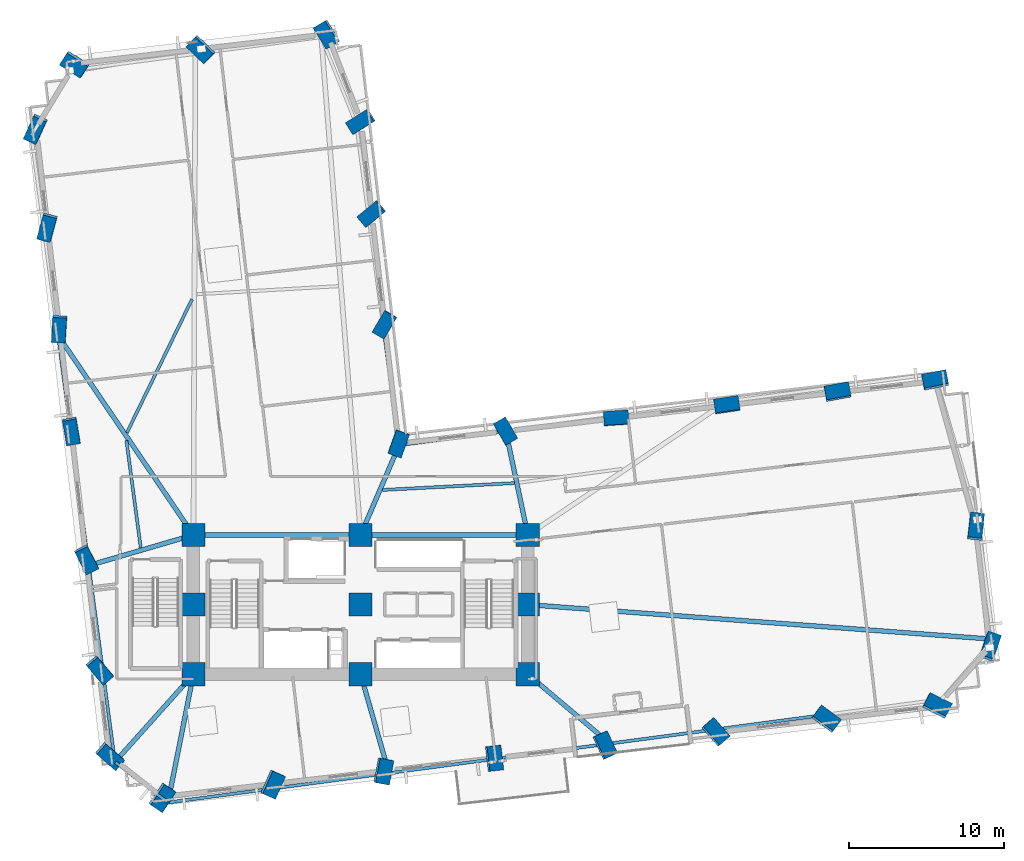
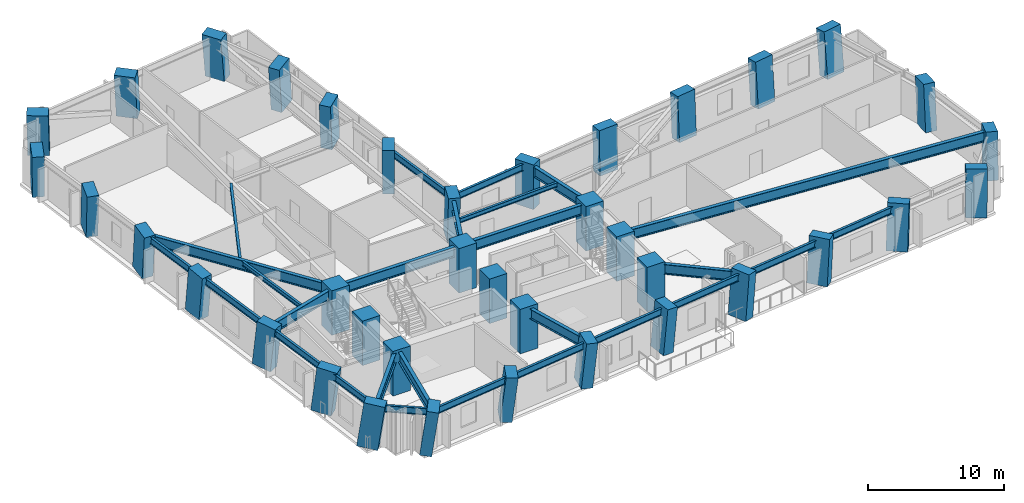
# One storey, part 1 of 14: 38 columns, 27 beams.
"""IFC4 building model written with IfcOpenShell, lengths in metres."""

from ifc_helpers import new_model, si_unit, direction, frame, origin, origin_2d, place, context, subcontext, project, spatial, rectangle, i_section, extrude, material, material_profile, profile_set, type_object, element, save


model = new_model("IFC4")

# Units and contexts
model_context = context("Model", 3, precision=1e-05, world=origin(), true_north=direction((0.0, 1.0)))
body_context = subcontext(model_context, "Body", "Model", "MODEL_VIEW")
ifc_project = project(units=[si_unit("LENGTHUNIT", "METRE"), si_unit("AREAUNIT", "SQUARE_METRE"), si_unit("VOLUMEUNIT", "CUBIC_METRE"), si_unit("PLANEANGLEUNIT", "RADIAN"), si_unit("MASSUNIT", "GRAM", prefix="KILO")], contexts=[model_context])

# Site, building, storey
site_placement = place(None, origin())
site = spatial("IfcSite", under=ifc_project, at=site_placement, CompositionType="ELEMENT")
building_placement = place(site_placement, origin())
building = spatial("IfcBuilding", under=site, at=building_placement, Name="Gaonmaruhae Medical Tower", CompositionType="ELEMENT")
storey_placement = place(building_placement, frame((0.0, 0.0, 51.0)))
storey = spatial("IfcBuildingStorey", under=building, at=storey_placement, Name="L11", CompositionType="ELEMENT", Elevation=51.0)

# Columns
ifc_material_1 = material(Name="Concrete C60/75", Category="concrete")
ifc_material_profile_1 = material_profile(ifc_material_1, rectangle(XDim=1.5, YDim=1.5, at=origin_2d()), Name="RC-1500x1500")
ifc_profile_set_1 = profile_set([ifc_material_profile_1], Name="Concrete C60/75")
column_type_1 = type_object("IfcColumnType", Name="CC-02 Zone 1 Core Column (RC-1500x1500)", PredefinedType="COLUMN", material=ifc_profile_set_1)
for number, where, z_axis, x_axis, name in (
    (1, (14.0, 7.800048828125, 0.0), (0.0, 0.0, 1.0), (1.0, 0.0, 0.0), "L11 Plumb Core Column CC11"),
    (2, (14.0, 12.300048828125, 0.0), (0.0, 0.0, 1.0), (1.0, 0.0, 0.0), "L11 Plumb Core Column CC12"),
    (3, (14.0, 16.800048828125, 0.0), (0.0, 0.0, 1.0), (1.0, 0.0, 0.0), "L11 Plumb Core Column CC13"),
    (4, (24.800048828125, 7.800048828125, 0.0), (0.0, 0.0, 1.0), (1.0, 0.0, 0.0), "L11 Plumb Core Column CC21"),
    (5, (24.800048828125, 12.300048828125, 0.0), (0.0, 0.0, 1.0), (1.0, 0.0, 0.0), "L11 Plumb Core Column CC22"),
    (6, (24.800048828125, 16.800048828125, 0.0), (0.0, 0.0, 1.0), (1.0, 0.0, 0.0), "L11 Plumb Core Column CC23"),
    (7, (35.60009765625, 7.800048828125, 0.0), (0.0, 0.0, 1.0), (1.0, 0.0, 0.0), "L11 Plumb Core Column CC31"),
    (8, (35.60009765625, 12.300048828125, 0.0), (0.0, 0.0, 1.0), (1.0, 0.0, 0.0), "L11 Plumb Core Column CC32"),
    (9, (35.60009765625, 16.800048828125, 0.0), (0.0, 0.0, 1.0), (1.0, 0.0, 0.0), "L11 Plumb Core Column CC33"),
):
    element("IfcColumn", number, at=place(storey_placement, frame(where, z_axis=z_axis, x_axis=x_axis)), inside=storey, type_object=column_type_1, Name=name, PredefinedType="COLUMN", context=body_context, shape_type="SweptSolid", body=[
        extrude(rectangle(XDim=1.5, YDim=1.5, at=origin_2d()), origin(), (0.0, 0.0, 1.0), 4.0),
    ])
ifc_material_profile_2 = material_profile(ifc_material_1, rectangle(XDim=1.60009765625, YDim=0.89990234375, at=origin_2d()), Name="RC-1600x900")
ifc_profile_set_2 = profile_set([ifc_material_profile_2], Name="Concrete C60/75")
column_type_2 = type_object("IfcColumnType", Name="TC-01 Lower Raking Tube Pier Column (RC-1600x900)", PredefinedType="COLUMN", material=ifc_profile_set_2)
column_1_placement = place(storey_placement, frame((11.94091796875, -0.1259765625, 0.001708984375), z_axis=(0.103130686191, -0.088121055807, 0.990756650792), x_axis=(0.558016520761, 0.829681138332, 0.015708954553)))
element("IfcColumn", 10, at=column_1_placement, inside=storey, type_object=column_type_2, Name="L11 Perimeter Tube Column S01", PredefinedType="COLUMN", context=body_context, shape_type="SweptSolid", body=[
    extrude(rectangle(XDim=1.60009765625, YDim=0.89990234375, at=origin_2d()), origin(), (0.0, 0.0, 1.0), 4.033935546875),
])
column_2_placement = place(storey_placement, frame((19.092529296875, 0.707763671875, 0.001708984375), z_axis=(0.099691318182, -0.058916780252, 0.993272598074), x_axis=(0.406334815095, 0.913625847091, 0.013410054754)))
element("IfcColumn", 11, at=column_2_placement, inside=storey, type_object=column_type_2, Name="L11 Perimeter Tube Column S02", PredefinedType="COLUMN", context=body_context, shape_type="SweptSolid", body=[
    extrude(rectangle(XDim=1.60009765625, YDim=0.89990234375, at=origin_2d()), origin(), (0.0, 0.0, 1.0), 4.023681640625),
])
column_3_placement = place(storey_placement, frame((26.244140625, 1.54150390625, 0.001708984375), z_axis=(0.096150082525, -0.029537888816, 0.994928477206), x_axis=(0.181548759309, 0.983312955757, 0.011648134348)))
element("IfcColumn", 12, at=column_3_placement, inside=storey, type_object=column_type_2, Name="L11 Perimeter Tube Column S03", PredefinedType="COLUMN", context=body_context, shape_type="SweptSolid", body=[
    extrude(rectangle(XDim=1.60009765625, YDim=0.89990234375, at=origin_2d()), origin(), (0.0, 0.0, 1.0), 4.016845703125),
])
column_4_placement = place(storey_placement, frame((33.395751953125, 2.37548828125, 0.001708984375), z_axis=(0.092515382804, -6.0825367e-05, 0.995711253449), x_axis=(-0.114654270311, 0.993347681302, 0.010713652585)))
element("IfcColumn", 13, at=column_4_placement, inside=storey, type_object=column_type_2, Name="L11 Perimeter Tube Column S04", PredefinedType="COLUMN", context=body_context, shape_type="SweptSolid", body=[
    extrude(rectangle(XDim=1.60009765625, YDim=0.89990234375, at=origin_2d()), origin(), (0.0, 0.0, 1.0), 4.013916015625),
])
column_5_placement = place(storey_placement, frame((40.547119140625, 3.209228515625, 0.001708984375), z_axis=(0.088856765696, 0.029436464474, 0.995609345953), x_axis=(-0.421803367053, 0.906622532137, 0.010839915315)))
element("IfcColumn", 14, at=column_5_placement, inside=storey, type_object=column_type_2, Name="L11 Perimeter Tube Column S05", PredefinedType="COLUMN", context=body_context, shape_type="SweptSolid", body=[
    extrude(rectangle(XDim=1.60009765625, YDim=0.89990234375, at=origin_2d()), origin(), (0.0, 0.0, 1.0), 4.01416015625),
])
column_6_placement = place(storey_placement, frame((47.69873046875, 4.043212890625, 0.001708984375), z_axis=(0.085124052379, 0.05881519108, 0.994632931792), x_axis=(-0.659384819993, 0.751710113435, 0.011981841356)))
element("IfcColumn", 15, at=column_6_placement, inside=storey, type_object=column_type_2, Name="L11 Perimeter Tube Column S06", PredefinedType="COLUMN", context=body_context, shape_type="SweptSolid", body=[
    extrude(rectangle(XDim=1.60009765625, YDim=0.89990234375, at=origin_2d()), origin(), (0.0, 0.0, 1.0), 4.01806640625),
])
column_7_placement = place(storey_placement, frame((54.850341796875, 4.876953125, 0.001708984375), z_axis=(0.081266808668, 0.08811990522, 0.992789296937), x_axis=(-0.808110427631, 0.588867417033, 0.013881711428)))
element("IfcColumn", 16, at=column_7_placement, inside=storey, type_object=column_type_2, Name="L11 Perimeter Tube Column S07", PredefinedType="COLUMN", context=body_context, shape_type="SweptSolid", body=[
    extrude(rectangle(XDim=1.60009765625, YDim=0.89990234375, at=origin_2d()), origin(), (0.0, 0.0, 1.0), 4.025634765625),
])
column_8_placement = place(storey_placement, frame((62.001953125, 5.710693359375, 0.001708984375), z_axis=(0.077356398515, 0.11721399556, 0.990089322664), x_axis=(-0.892164731917, 0.451417315565, 0.016263404677)))
element("IfcColumn", 17, at=column_8_placement, inside=storey, type_object=column_type_2, Name="L11 Perimeter Tube Column S08", PredefinedType="COLUMN", context=body_context, shape_type="SweptSolid", body=[
    extrude(rectangle(XDim=1.60009765625, YDim=0.89990234375, at=origin_2d()), origin(), (0.0, 0.0, 1.0), 4.03662109375),
])
column_9_placement = place(storey_placement, frame((65.43212890625, 9.53369140625, 0.001708984375), z_axis=(0.061531325336, 0.131101615573, 0.989457559674), x_axis=(-0.312732734416, -0.938885386436, 0.143848767674)))
element("IfcColumn", 18, at=column_9_placement, inside=storey, type_object=column_type_2, Name="L11 Perimeter Tube Column E01", PredefinedType="COLUMN", context=body_context, shape_type="SweptSolid", body=[
    extrude(rectangle(XDim=1.60009765625, YDim=0.89990234375, at=origin_2d()), origin(), (0.0, 0.0, 1.0), 4.0390625),
])
column_10_placement = place(storey_placement, frame((64.52880859375, 17.28125, 0.001708984375), z_axis=(0.029857269994, 0.127362756182, 0.991406713598), x_axis=(-0.112008268746, -0.985175573606, 0.129935510555)))
element("IfcColumn", 19, at=column_10_placement, inside=storey, type_object=column_type_2, Name="L11 Perimeter Tube Column E02", PredefinedType="COLUMN", context=body_context, shape_type="SweptSolid", body=[
    extrude(rectangle(XDim=1.60009765625, YDim=0.89990234375, at=origin_2d()), origin(), (0.0, 0.0, 1.0), 4.03125),
])
column_11_placement = place(storey_placement, frame((61.91552734375, 26.742431640625, 0.001708984375), z_axis=(-0.008918351328, 0.11648458877, 0.993152457374), x_axis=(-0.981593797362, -0.190500884443, 0.013528858272)))
element("IfcColumn", 20, at=column_11_placement, inside=storey, type_object=column_type_2, Name="L11 Perimeter Tube Column E03", PredefinedType="COLUMN", context=body_context, shape_type="SweptSolid", body=[
    extrude(rectangle(XDim=1.60009765625, YDim=0.89990234375, at=origin_2d()), origin(), (0.0, 0.0, 1.0), 4.024169921875),
])
column_12_placement = place(storey_placement, frame((55.6083984375, 26.0068359375, 0.001708984375), z_axis=(-0.005779215637, 0.090824936271, 0.995850104995), x_axis=(-0.983944135111, -0.178165274591, 0.01053916079)))
element("IfcColumn", 21, at=column_12_placement, inside=storey, type_object=column_type_2, Name="L11 Perimeter Tube Column EN01", PredefinedType="COLUMN", context=body_context, shape_type="SweptSolid", body=[
    extrude(rectangle(XDim=1.60009765625, YDim=0.89990234375, at=origin_2d()), origin(), (0.0, 0.0, 1.0), 4.01318359375),
])
column_13_placement = place(storey_placement, frame((48.456787109375, 25.173095703125, 0.001708984375), z_axis=(-0.002073039244, 0.061459516411, 0.998107424254), x_axis=(-0.988811054512, -0.149003306993, 0.007121304679)))
element("IfcColumn", 22, at=column_13_placement, inside=storey, type_object=column_type_2, Name="L11 Perimeter Tube Column EN02", PredefinedType="COLUMN", context=body_context, shape_type="SweptSolid", body=[
    extrude(rectangle(XDim=1.60009765625, YDim=0.89990234375, at=origin_2d()), origin(), (0.0, 0.0, 1.0), 4.004150390625),
])
column_14_placement = place(storey_placement, frame((41.30517578125, 24.33935546875, 0.001708984375), z_axis=(0.001648515221, 0.031932350395, 0.99948867297), x_axis=(-0.997918513373, -0.064381129267, 0.003702817988)))
element("IfcColumn", 23, at=column_14_placement, inside=storey, type_object=column_type_2, Name="L11 Perimeter Tube Column EN03", PredefinedType="COLUMN", context=body_context, shape_type="SweptSolid", body=[
    extrude(rectangle(XDim=1.60009765625, YDim=0.89990234375, at=origin_2d()), origin(), (0.0, 0.0, 1.0), 3.99853515625),
])
column_15_placement = place(storey_placement, frame((34.153564453125, 23.50537109375, 0.001708984375), z_axis=(0.005375595078, 0.002321279693, 0.999982857172), x_axis=(-0.500082287916, 0.865977624149, 0.000678075236)))
element("IfcColumn", 24, at=column_15_placement, inside=storey, type_object=column_type_2, Name="L11 Perimeter Tube Column EN04", PredefinedType="COLUMN", context=body_context, shape_type="SweptSolid", body=[
    extrude(rectangle(XDim=1.60009765625, YDim=0.89990234375, at=origin_2d()), origin(), (0.0, 0.0, 1.0), 3.99658203125),
])
column_16_placement = place(storey_placement, frame((27.25048828125, 22.700439453125, 0.001708984375), z_axis=(0.008915338455, -0.026196439708, 0.999617058321), x_axis=(0.334811753302, 0.942035106952, 0.021701316121)))
element("IfcColumn", 25, at=column_16_placement, inside=storey, type_object=column_type_2, Name="L11 Perimeter Tube Column KN01", PredefinedType="COLUMN", context=body_context, shape_type="SweptSolid", body=[
    extrude(rectangle(XDim=1.60009765625, YDim=0.89990234375, at=origin_2d()), origin(), (0.0, 0.0, 1.0), 3.998046875),
])
column_17_placement = place(storey_placement, frame((26.352783203125, 30.3984375, 0.001708984375), z_axis=(-0.022891292397, -0.030216505964, 0.999281217426), x_axis=(0.507057413613, 0.861089427661, 0.037653377935)))
element("IfcColumn", 26, at=column_17_placement, inside=storey, type_object=column_type_2, Name="L11 Perimeter Tube Column NE01", PredefinedType="COLUMN", context=body_context, shape_type="SweptSolid", body=[
    extrude(rectangle(XDim=1.60009765625, YDim=0.89990234375, at=origin_2d()), origin(), (0.0, 0.0, 1.0), 3.99951171875),
])
column_18_placement = place(storey_placement, frame((25.51904296875, 37.5498046875, 0.001708984375), z_axis=(-0.052493535707, -0.033837296536, 0.998047827547), x_axis=(0.770485262961, 0.634432213866, 0.062034067813)))
element("IfcColumn", 27, at=column_18_placement, inside=storey, type_object=column_type_2, Name="L11 Perimeter Tube Column NE02", PredefinedType="COLUMN", context=body_context, shape_type="SweptSolid", body=[
    extrude(rectangle(XDim=1.60009765625, YDim=0.89990234375, at=origin_2d()), origin(), (0.0, 0.0, 1.0), 4.00439453125),
])
column_19_placement = place(storey_placement, frame((24.82421875, 43.509521484375, 0.001708984375), z_axis=(-0.076993381797, -0.036883786062, 0.996349138347), x_axis=(0.842487077733, 0.532000818436, 0.084797718345)))
element("IfcColumn", 28, at=column_19_placement, inside=storey, type_object=column_type_2, Name="L11 Perimeter Tube Column NE03", PredefinedType="COLUMN", context=body_context, shape_type="SweptSolid", body=[
    extrude(rectangle(XDim=1.60009765625, YDim=0.89990234375, at=origin_2d()), origin(), (0.0, 0.0, 1.0), 4.01123046875),
])
column_20_placement = place(storey_placement, frame((22.65673828125, 49.146484375, 0.001708984375), z_axis=(-0.099939863452, -0.045901905692, 0.993934121935), x_axis=(0.519165501749, -0.854578832845, 0.012735786087)))
element("IfcColumn", 29, at=column_20_placement, inside=storey, type_object=column_type_2, Name="L11 Perimeter Tube Column N01", PredefinedType="COLUMN", context=body_context, shape_type="SweptSolid", body=[
    extrude(rectangle(XDim=1.60009765625, YDim=0.89990234375, at=origin_2d()), origin(), (0.0, 0.0, 1.0), 4.02099609375),
])
column_21_placement = place(storey_placement, frame((14.511962890625, 48.19677734375, 0.001708984375), z_axis=(-0.095588978911, -0.079283693352, 0.992258455786), x_axis=(0.722555490387, -0.691163316507, 0.014381697639)))
element("IfcColumn", 30, at=column_21_placement, inside=storey, type_object=column_type_2, Name="L11 Perimeter Tube Column N02", PredefinedType="COLUMN", context=body_context, shape_type="SweptSolid", body=[
    extrude(rectangle(XDim=1.60009765625, YDim=0.89990234375, at=origin_2d()), origin(), (0.0, 0.0, 1.0), 4.02783203125),
])
column_22_placement = place(storey_placement, frame((6.3671875, 47.2470703125, 0.001708984375), z_axis=(-0.091149766774, -0.112426104907, 0.989470611465), x_axis=(0.843714251314, -0.536530836824, 0.016760765699)))
element("IfcColumn", 31, at=column_22_placement, inside=storey, type_object=column_type_2, Name="L11 Perimeter Tube Column N03", PredefinedType="COLUMN", context=body_context, shape_type="SweptSolid", body=[
    extrude(rectangle(XDim=1.60009765625, YDim=0.89990234375, at=origin_2d()), origin(), (0.0, 0.0, 1.0), 4.0390625),
])
column_23_placement = place(storey_placement, frame((3.833251953125, 43.07568359375, 0.001708984375), z_axis=(-0.073999121688, -0.122727301492, 0.989677795779), x_axis=(0.408416071098, 0.901628458186, 0.142346184554)))
element("IfcColumn", 32, at=column_23_placement, inside=storey, type_object=column_type_2, Name="L11 Perimeter Tube Column W01", PredefinedType="COLUMN", context=body_context, shape_type="SweptSolid", body=[
    extrude(rectangle(XDim=1.60009765625, YDim=0.89990234375, at=origin_2d()), origin(), (0.0, 0.0, 1.0), 4.038330078125),
])
column_24_placement = place(storey_placement, frame((4.574462890625, 36.71875, 0.001708984375), z_axis=(-0.04803764479, -0.119700360788, 0.991647219686), x_axis=(0.259374888745, 0.957241855929, 0.128112046065)))
element("IfcColumn", 33, at=column_24_placement, inside=storey, type_object=column_type_2, Name="L11 Perimeter Tube Column W02", PredefinedType="COLUMN", context=body_context, shape_type="SweptSolid", body=[
    extrude(rectangle(XDim=1.60009765625, YDim=0.89990234375, at=origin_2d()), origin(), (0.0, 0.0, 1.0), 4.0302734375),
])
column_25_placement = place(storey_placement, frame((5.338623046875, 30.1630859375, 0.001708984375), z_axis=(-0.021108966862, -0.116463265443, 0.992970653806), x_axis=(0.061951698396, 0.991130959428, 0.117564485836)))
element("IfcColumn", 34, at=column_25_placement, inside=storey, type_object=column_type_2, Name="L11 Perimeter Tube Column W03", PredefinedType="COLUMN", context=body_context, shape_type="SweptSolid", body=[
    extrude(rectangle(XDim=1.60009765625, YDim=0.89990234375, at=origin_2d()), origin(), (0.0, 0.0, 1.0), 4.02490234375),
])
column_26_placement = place(storey_placement, frame((6.10888671875, 23.557861328125, 0.001708984375), z_axis=(0.006069361117, -0.113193584828, 0.993554414821), x_axis=(-0.168477247489, 0.979253855238, 0.112593534806)))
element("IfcColumn", 35, at=column_26_placement, inside=storey, type_object=column_type_2, Name="L11 Perimeter Tube Column W04", PredefinedType="COLUMN", context=body_context, shape_type="SweptSolid", body=[
    extrude(rectangle(XDim=1.60009765625, YDim=0.89990234375, at=origin_2d()), origin(), (0.0, 0.0, 1.0), 4.0224609375),
])
column_27_placement = place(storey_placement, frame((7.075927734375, 15.26416015625, 0.001708984375), z_axis=(0.040166444647, -0.108910525893, 0.993239726387), x_axis=(-0.450019213992, 0.885544220461, 0.115300219633)))
element("IfcColumn", 36, at=column_27_placement, inside=storey, type_object=column_type_2, Name="L11 Perimeter Tube Column W05", PredefinedType="COLUMN", context=body_context, shape_type="SweptSolid", body=[
    extrude(rectangle(XDim=1.60009765625, YDim=0.89990234375, at=origin_2d()), origin(), (0.0, 0.0, 1.0), 4.023681640625),
])
column_28_placement = place(storey_placement, frame((7.90966796875, 8.112548828125, 0.001708984375), z_axis=(0.069508862811, -0.105081402018, 0.992031459653), x_axis=(-0.640206677276, 0.757941093362, 0.125142755939)))
element("IfcColumn", 37, at=column_28_placement, inside=storey, type_object=column_type_2, Name="L11 Perimeter Tube Column W06", PredefinedType="COLUMN", context=body_context, shape_type="SweptSolid", body=[
    extrude(rectangle(XDim=1.60009765625, YDim=0.89990234375, at=origin_2d()), origin(), (0.0, 0.0, 1.0), 4.028564453125),
])
column_29_placement = place(storey_placement, frame((8.558349609375, 2.55029296875, 0.001708984375), z_axis=(0.092152122882, -0.102075266778, 0.990499180293), x_axis=(-0.745231561197, 0.652665426186, 0.136593417329)))
element("IfcColumn", 38, at=column_29_placement, inside=storey, type_object=column_type_2, Name="L11 Perimeter Tube Column W07", PredefinedType="COLUMN", context=body_context, shape_type="SweptSolid", body=[
    extrude(rectangle(XDim=1.60009765625, YDim=0.89990234375, at=origin_2d()), origin(), (0.0, 0.0, 1.0), 4.034912109375),
])

# Beams
ifc_material_2 = material(Name="Steel SM355", Category="steel")
ifc_material_profile_3 = material_profile(ifc_material_2, i_section(OverallWidth=0.199951171875, OverallDepth=0.39990234375, WebThickness=0.008056640625, FlangeThickness=0.012939453125, FilletRadius=0.012939453125, at=origin_2d()), Name="H-400x200x8x13")
ifc_profile_set_3 = profile_set([ifc_material_profile_3], Name="Steel SM355")
beam_type_1 = type_object("IfcBeamType", Name="FJ-01 Lower Zone Ward Floor Joist (H-400x200x8x13)", PredefinedType="JOIST", material=ifc_profile_set_3)
beam_1_placement = place(storey_placement, frame((34.729736328125, 20.149169921875, 3.580078125), z_axis=(-0.998652730987, -0.051891452987, 0.0), x_axis=(0.051891452987, -0.998652730987, 0.0)))
element("IfcBeam", 39, at=beam_1_placement, inside=storey, type_object=beam_type_1, Name="L11 Secondary Floor Joist FJ06", PredefinedType="JOIST", context=body_context, shape_type="SweptSolid", body=[
    extrude(i_section(OverallWidth=0.199951171875, OverallDepth=0.39990234375, WebThickness=0.008056640625, FlangeThickness=0.012939453125, FilletRadius=0.012939453125, at=origin_2d()), origin(), (0.0, 0.0, 1.0), 8.525146484375),
])
beam_2_placement = place(storey_placement, frame((13.909423828125, 32.023193359375, 3.580078125), z_axis=(-0.438544049326, -0.898709695508, 0.0), x_axis=(0.898709695508, -0.438544049326, 0.0)))
element("IfcBeam", 40, at=beam_2_placement, inside=storey, type_object=beam_type_1, Name="L11 Secondary Floor Joist FJ09", PredefinedType="JOIST", context=body_context, shape_type="SweptSolid", body=[
    extrude(i_section(OverallWidth=0.199951171875, OverallDepth=0.39990234375, WebThickness=0.008056640625, FlangeThickness=0.012939453125, FilletRadius=0.012939453125, at=origin_2d()), origin(), (0.0, 0.0, 1.0), 9.58642578125),
])
beam_3_placement = place(storey_placement, frame((9.672119140625, 22.908447265625, 3.580078125), z_axis=(0.13224138619, -0.991217542106, 0.0), x_axis=(0.991217542106, 0.13224138619, 0.0)))
element("IfcBeam", 41, at=beam_3_placement, inside=storey, type_object=beam_type_1, Name="L11 Secondary Floor Joist FJ10", PredefinedType="JOIST", context=body_context, shape_type="SweptSolid", body=[
    extrude(i_section(OverallWidth=0.199951171875, OverallDepth=0.39990234375, WebThickness=0.008056640625, FlangeThickness=0.012939453125, FilletRadius=0.012939453125, at=origin_2d()), origin(), (0.0, 0.0, 1.0), 7.000732421875),
])
ifc_material_3 = material(Name="Steel SM420", Category="steel")
ifc_material_profile_4 = material_profile(ifc_material_3, i_section(OverallWidth=0.300048828125, OverallDepth=0.89990234375, WebThickness=0.01611328125, FlangeThickness=0.028076171875, FilletRadius=0.01806640625, at=origin_2d()), Name="H-900x300x16x28")
ifc_profile_set_4 = profile_set([ifc_material_profile_4], Name="Steel SM420")
beam_type_2 = type_object("IfcBeamType", Name="PG-01 Zone 1 Radial Floor Girder (H-900x300x16x28)", PredefinedType="BEAM", material=ifc_profile_set_4)
for number, where, z_axis, x_axis, name in (
    (42, (14.050048828125, 16.800048828125, 3.330078125), (1.0, 0.0, 0.0), (0.0, 1.0, 0.0), "L11 Beam BM-L11-CG-N1"),
    (43, (24.85009765625, 16.800048828125, 3.330078125), (1.0, 0.0, 0.0), (0.0, 1.0, 0.0), "L11 Beam BM-L11-CG-N2"),
):
    element("IfcBeam", number, at=place(storey_placement, frame(where, z_axis=z_axis, x_axis=x_axis)), inside=storey, type_object=beam_type_2, Name=name, PredefinedType="BEAM", context=body_context, shape_type="SweptSolid", body=[
        extrude(i_section(OverallWidth=0.300048828125, OverallDepth=0.89990234375, WebThickness=0.01611328125, FlangeThickness=0.028076171875, FilletRadius=0.01806640625, at=origin_2d()), origin(), (0.0, 0.0, 1.0), 10.699951171875),
    ])
beam_4_placement = place(storey_placement, frame((13.990234375, 7.7509765625, 3.330078125), z_axis=(-0.194596493884, -0.980883379698, 0.0), x_axis=(0.980883379698, -0.194596493884, 0.0)))
element("IfcBeam", 44, at=beam_4_placement, inside=storey, type_object=beam_type_2, Name="L11 Radial Primary Girder S01", PredefinedType="BEAM", context=body_context, shape_type="SweptSolid", body=[
    extrude(i_section(OverallWidth=0.300048828125, OverallDepth=0.89990234375, WebThickness=0.01611328125, FlangeThickness=0.028076171875, FilletRadius=0.01806640625, at=origin_2d()), origin(), (0.0, 0.0, 1.0), 8.343017578125),
])
beam_5_placement = place(storey_placement, frame((24.813720703125, 7.751953125, 3.330078125), z_axis=(0.275910121742, -0.961183439683, 0.0), x_axis=(0.961183439683, 0.275910121742, 0.0)))
element("IfcBeam", 45, at=beam_5_placement, inside=storey, type_object=beam_type_2, Name="L11 Radial Primary Girder S03", PredefinedType="BEAM", context=body_context, shape_type="SweptSolid", body=[
    extrude(i_section(OverallWidth=0.300048828125, OverallDepth=0.89990234375, WebThickness=0.01611328125, FlangeThickness=0.028076171875, FilletRadius=0.01806640625, at=origin_2d()), origin(), (0.0, 0.0, 1.0), 6.53466796875),
])
beam_6_placement = place(storey_placement, frame((35.63818359375, 7.767822265625, 3.330078125), z_axis=(0.764474021203, -0.644654536094, 0.0), x_axis=(0.644654536094, 0.764474021203, 0.0)))
element("IfcBeam", 46, at=beam_6_placement, inside=storey, type_object=beam_type_2, Name="L11 Radial Primary Girder S05", PredefinedType="BEAM", context=body_context, shape_type="SweptSolid", body=[
    extrude(i_section(OverallWidth=0.300048828125, OverallDepth=0.89990234375, WebThickness=0.01611328125, FlangeThickness=0.028076171875, FilletRadius=0.01806640625, at=origin_2d()), origin(), (0.0, 0.0, 1.0), 6.838134765625),
])
beam_7_placement = place(storey_placement, frame((35.64990234375, 12.29638671875, 3.330078125), z_axis=(0.997247042335, -0.074150769072, 0.0), x_axis=(0.074150769072, 0.997247042335, 0.0)))
element("IfcBeam", 47, at=beam_7_placement, inside=storey, type_object=beam_type_2, Name="L11 Radial Primary Girder E01", PredefinedType="BEAM", context=body_context, shape_type="SweptSolid", body=[
    extrude(i_section(OverallWidth=0.300048828125, OverallDepth=0.89990234375, WebThickness=0.01611328125, FlangeThickness=0.028076171875, FilletRadius=0.01806640625, at=origin_2d()), origin(), (0.0, 0.0, 1.0), 30.063720703125),
])
beam_8_placement = place(storey_placement, frame((35.589599609375, 16.848876953125, 3.330078125), z_axis=(-0.207603635892, 0.978213029133, 0.0), x_axis=(-0.978213029133, -0.207603635892, 0.0)))
element("IfcBeam", 48, at=beam_8_placement, inside=storey, type_object=beam_type_2, Name="L11 Radial Primary Girder EN04", PredefinedType="BEAM", context=body_context, shape_type="SweptSolid", body=[
    extrude(i_section(OverallWidth=0.300048828125, OverallDepth=0.89990234375, WebThickness=0.01611328125, FlangeThickness=0.028076171875, FilletRadius=0.01806640625, at=origin_2d()), origin(), (0.0, 0.0, 1.0), 6.764404296875),
])
beam_9_placement = place(storey_placement, frame((24.81982421875, 16.845947265625, 3.330078125), z_axis=(0.394208890145, 0.91902086534, 0.0), x_axis=(-0.91902086534, 0.394208890145, 0.0)))
element("IfcBeam", 49, at=beam_9_placement, inside=storey, type_object=beam_type_2, Name="L11 Radial Primary Girder KN01", PredefinedType="BEAM", context=body_context, shape_type="SweptSolid", body=[
    extrude(i_section(OverallWidth=0.300048828125, OverallDepth=0.89990234375, WebThickness=0.01611328125, FlangeThickness=0.028076171875, FilletRadius=0.01806640625, at=origin_2d()), origin(), (0.0, 0.0, 1.0), 6.206298828125),
])
beam_10_placement = place(storey_placement, frame((13.971923828125, 16.84130859375, 3.330078125), z_axis=(-0.561360644017, 0.827571282337, 0.0), x_axis=(-0.827571282337, -0.561360644017, 0.0)))
element("IfcBeam", 50, at=beam_10_placement, inside=storey, type_object=beam_type_2, Name="L11 Radial Primary Girder W03", PredefinedType="BEAM", context=body_context, shape_type="SweptSolid", body=[
    extrude(i_section(OverallWidth=0.300048828125, OverallDepth=0.89990234375, WebThickness=0.01611328125, FlangeThickness=0.028076171875, FilletRadius=0.01806640625, at=origin_2d()), origin(), (0.0, 0.0, 1.0), 15.48046875),
])
beam_11_placement = place(storey_placement, frame((13.951904296875, 16.785888671875, 3.330078125), z_axis=(-0.959933429693, -0.280228140197, 0.0), x_axis=(0.280228140197, -0.959933429693, 0.0)))
element("IfcBeam", 51, at=beam_11_placement, inside=storey, type_object=beam_type_2, Name="L11 Radial Primary Girder W05", PredefinedType="BEAM", context=body_context, shape_type="SweptSolid", body=[
    extrude(i_section(OverallWidth=0.300048828125, OverallDepth=0.89990234375, WebThickness=0.01611328125, FlangeThickness=0.028076171875, FilletRadius=0.01806640625, at=origin_2d()), origin(), (0.0, 0.0, 1.0), 6.944580078125),
])
beam_12_placement = place(storey_placement, frame((13.966552734375, 7.7626953125, 3.330078125), z_axis=(-0.667065064336, -0.744999463049, 0.0), x_axis=(0.744999463049, -0.667065064336, 0.0)))
element("IfcBeam", 52, at=beam_12_placement, inside=storey, type_object=beam_type_2, Name="L11 Radial Primary Girder W07", PredefinedType="BEAM", context=body_context, shape_type="SweptSolid", body=[
    extrude(i_section(OverallWidth=0.300048828125, OverallDepth=0.89990234375, WebThickness=0.01611328125, FlangeThickness=0.028076171875, FilletRadius=0.01806640625, at=origin_2d()), origin(), (0.0, 0.0, 1.0), 7.49951171875),
])
ifc_material_profile_5 = material_profile(ifc_material_2, i_section(OverallWidth=0.199951171875, OverallDepth=0.60009765625, WebThickness=0.010986328125, FlangeThickness=0.01708984375, FilletRadius=0.012939453125, at=origin_2d()), Name="H-600x200x11x17")
ifc_profile_set_5 = profile_set([ifc_material_profile_5], Name="Steel SM355")
beam_type_3 = type_object("IfcBeamType", Name="SP-01 Lower Perimeter Spandrel Beam (H-600x200x11x17)", PredefinedType="SPANDREL", material=ifc_profile_set_5)
for number, where, z_axis, x_axis, name in (
    (53, (12.396728515625, -0.476318359375, 3.47998046875), (0.991215617957, 0.132255807882, 0.0), (-0.132255807882, 0.991215617957, 0.0), "L11 Perimeter Spandrel Beam S01-S02"),
    (54, (19.533447265625, 0.475830078125, 3.47998046875), (0.991215617957, 0.132255807882, 0.0), (-0.132255807882, 0.991215617957, 0.0), "L11 Perimeter Spandrel Beam S02-S03"),
    (55, (26.670166015625, 1.42822265625, 3.47998046875), (0.991215617957, 0.132255807882, 0.0), (-0.132255807882, 0.991215617957, 0.0), "L11 Perimeter Spandrel Beam S03-S04"),
):
    element("IfcBeam", number, at=place(storey_placement, frame(where, z_axis=z_axis, x_axis=x_axis)), inside=storey, type_object=beam_type_3, Name=name, PredefinedType="SPANDREL", context=body_context, shape_type="SweptSolid", body=[
        extrude(i_section(OverallWidth=0.199951171875, OverallDepth=0.60009765625, WebThickness=0.010986328125, FlangeThickness=0.01708984375, FilletRadius=0.012939453125, at=origin_2d()), origin(), (0.0, 0.0, 1.0), 7.119873046875),
    ])
for number, where, z_axis, x_axis, name in (
    (56, (33.806884765625, 2.38037109375, 3.47998046875), (0.99121621771, 0.132251312844, 0.0), (-0.132251312844, 0.99121621771, 0.0), "L11 Perimeter Spandrel Beam S04-S05"),
    (57, (40.943603515625, 3.332763671875, 3.4599609375), (0.99121621771, 0.132251312844, 0.0), (-0.132251312844, 0.99121621771, 0.0), "L11 Perimeter Spandrel Beam S05-S06"),
):
    element("IfcBeam", number, at=place(storey_placement, frame(where, z_axis=z_axis, x_axis=x_axis)), inside=storey, type_object=beam_type_3, Name=name, PredefinedType="SPANDREL", context=body_context, shape_type="SweptSolid", body=[
        extrude(i_section(OverallWidth=0.199951171875, OverallDepth=0.60009765625, WebThickness=0.010986328125, FlangeThickness=0.01708984375, FilletRadius=0.012939453125, at=origin_2d()), origin(), (0.0, 0.0, 1.0), 7.1201171875),
    ])
beam_13_placement = place(storey_placement, frame((48.08056640625, 4.284912109375, 3.4599609375), z_axis=(0.991215617957, 0.132255807882, 0.0), x_axis=(-0.132255807882, 0.991215617957, 0.0)))
element("IfcBeam", 58, at=beam_13_placement, inside=storey, type_object=beam_type_3, Name="L11 Perimeter Spandrel Beam S06-S07", PredefinedType="SPANDREL", context=body_context, shape_type="SweptSolid", body=[
    extrude(i_section(OverallWidth=0.199951171875, OverallDepth=0.60009765625, WebThickness=0.010986328125, FlangeThickness=0.01708984375, FilletRadius=0.012939453125, at=origin_2d()), origin(), (0.0, 0.0, 1.0), 7.119873046875),
])
beam_14_placement = place(storey_placement, frame((34.135498046875, 23.509521484375, 3.47998046875), z_axis=(-0.991214239518, -0.132266138439, 0.0), x_axis=(0.132266138439, -0.991214239518, 0.0)))
element("IfcBeam", 59, at=beam_14_placement, inside=storey, type_object=beam_type_3, Name="L11 Perimeter Spandrel Beam EN04-KN01", PredefinedType="SPANDREL", context=body_context, shape_type="SweptSolid", body=[
    extrude(i_section(OverallWidth=0.199951171875, OverallDepth=0.60009765625, WebThickness=0.010986328125, FlangeThickness=0.01708984375, FilletRadius=0.012939453125, at=origin_2d()), origin(), (0.0, 0.0, 1.0), 6.8701171875),
])
beam_15_placement = place(storey_placement, frame((27.28076171875, 22.63525390625, 3.47998046875), z_axis=(-0.132257544314, 0.991215386267, 0.0), x_axis=(-0.991215386267, -0.132257544314, 0.0)))
element("IfcBeam", 60, at=beam_15_placement, inside=storey, type_object=beam_type_3, Name="L11 Perimeter Spandrel Beam KN01-NE01", PredefinedType="SPANDREL", context=body_context, shape_type="SweptSolid", body=[
    extrude(i_section(OverallWidth=0.199951171875, OverallDepth=0.60009765625, WebThickness=0.010986328125, FlangeThickness=0.01708984375, FilletRadius=0.012939453125, at=origin_2d()), origin(), (0.0, 0.0, 1.0), 7.669921875),
])
beam_16_placement = place(storey_placement, frame((5.259033203125, 29.654296875, 3.47998046875), z_axis=(0.132253780721, -0.991215888435, 0.0), x_axis=(0.991215888435, 0.132253780721, 0.0)))
element("IfcBeam", 61, at=beam_16_placement, inside=storey, type_object=beam_type_3, Name="L11 Perimeter Spandrel Beam W03-W04", PredefinedType="SPANDREL", context=body_context, shape_type="SweptSolid", body=[
    extrude(i_section(OverallWidth=0.199951171875, OverallDepth=0.60009765625, WebThickness=0.010986328125, FlangeThickness=0.01708984375, FilletRadius=0.012939453125, at=origin_2d()), origin(), (0.0, 0.0, 1.0), 6.56982421875),
])
beam_17_placement = place(storey_placement, frame((6.138427734375, 23.062744140625, 3.47998046875), z_axis=(0.132256538355, -0.991215520491, 0.0), x_axis=(0.991215520491, 0.132256538355, 0.0)))
element("IfcBeam", 62, at=beam_17_placement, inside=storey, type_object=beam_type_3, Name="L11 Perimeter Spandrel Beam W04-W05", PredefinedType="SPANDREL", context=body_context, shape_type="SweptSolid", body=[
    extrude(i_section(OverallWidth=0.199951171875, OverallDepth=0.60009765625, WebThickness=0.010986328125, FlangeThickness=0.01708984375, FilletRadius=0.012939453125, at=origin_2d()), origin(), (0.0, 0.0, 1.0), 8.27001953125),
])
beam_18_placement = place(storey_placement, frame((7.242919921875, 14.7861328125, 3.47998046875), z_axis=(0.132255807882, -0.991215617957, 0.0), x_axis=(0.991215617957, 0.132255807882, 0.0)))
element("IfcBeam", 63, at=beam_18_placement, inside=storey, type_object=beam_type_3, Name="L11 Perimeter Spandrel Beam W05-W06", PredefinedType="SPANDREL", context=body_context, shape_type="SweptSolid", body=[
    extrude(i_section(OverallWidth=0.199951171875, OverallDepth=0.60009765625, WebThickness=0.010986328125, FlangeThickness=0.01708984375, FilletRadius=0.012939453125, at=origin_2d()), origin(), (0.0, 0.0, 1.0), 7.119873046875),
])
beam_19_placement = place(storey_placement, frame((8.195068359375, 7.6494140625, 3.47998046875), z_axis=(0.132244838417, -0.991217081528, 0.0), x_axis=(0.991217081528, 0.132244838417, 0.0)))
element("IfcBeam", 64, at=beam_19_placement, inside=storey, type_object=beam_type_3, Name="L11 Perimeter Spandrel Beam W06-W07", PredefinedType="SPANDREL", context=body_context, shape_type="SweptSolid", body=[
    extrude(i_section(OverallWidth=0.199951171875, OverallDepth=0.60009765625, WebThickness=0.010986328125, FlangeThickness=0.01708984375, FilletRadius=0.012939453125, at=origin_2d()), origin(), (0.0, 0.0, 1.0), 5.52001953125),
])
beam_20_placement = place(storey_placement, frame((8.962158203125, 2.114013671875, 3.47998046875), z_axis=(0.794408575045, -0.607383746815, 0.0), x_axis=(0.607383746815, 0.794408575045, 0.0)))
element("IfcBeam", 65, at=beam_20_placement, inside=storey, type_object=beam_type_3, Name="L11 Perimeter Spandrel Beam W07-S01", PredefinedType="SPANDREL", context=body_context, shape_type="SweptSolid", body=[
    extrude(i_section(OverallWidth=0.199951171875, OverallDepth=0.60009765625, WebThickness=0.010986328125, FlangeThickness=0.01708984375, FilletRadius=0.012939453125, at=origin_2d()), origin(), (0.0, 0.0, 1.0), 4.2333984375),
])

save(model, "model.ifc")
